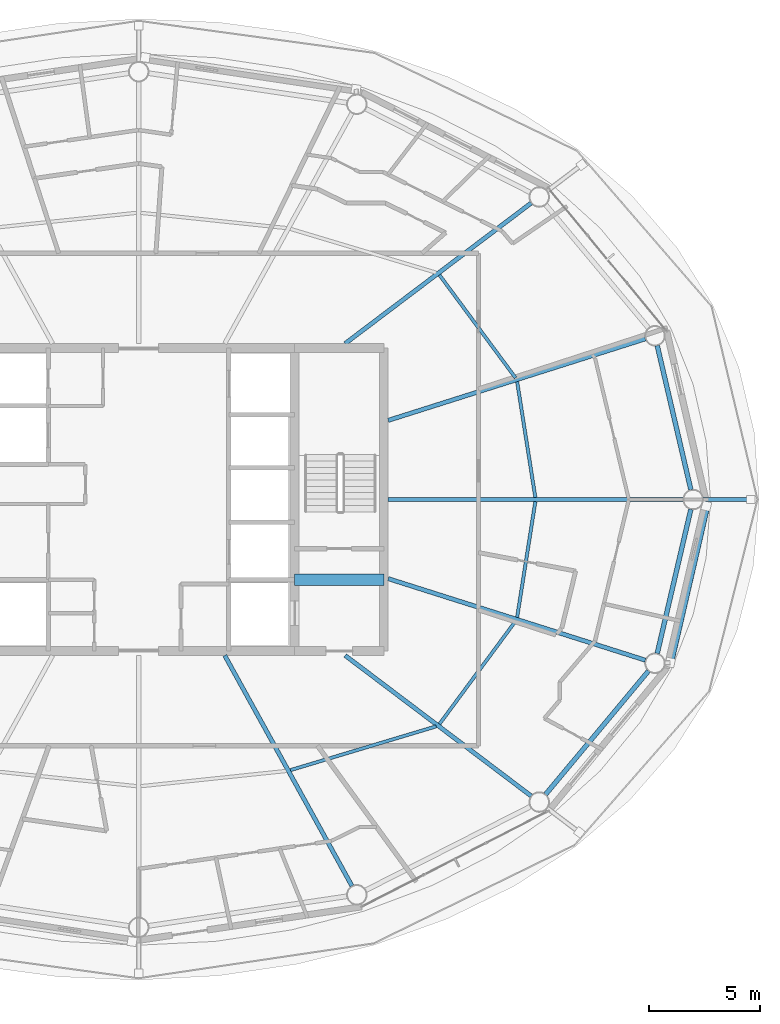
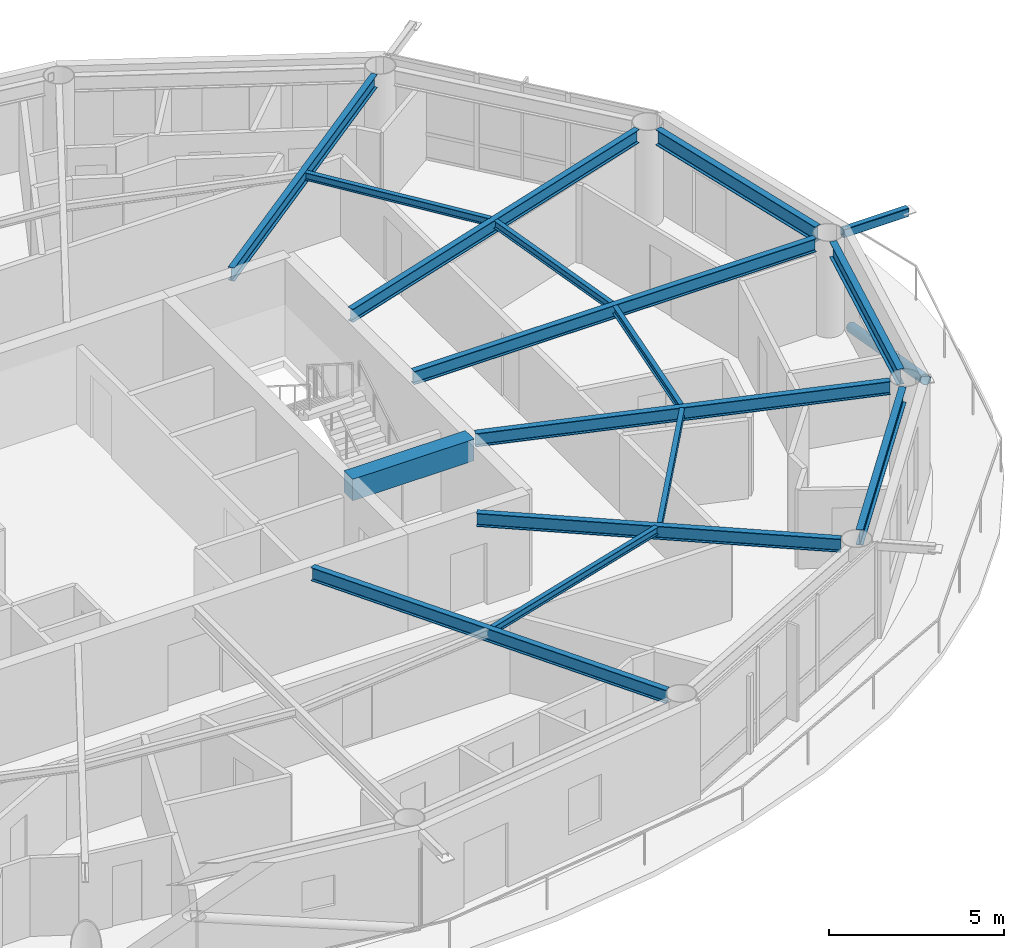
# One storey, part 6 of 23: 15 beams, 2 members.
"""IFC4 building model written with IfcOpenShell, lengths in metres."""

from ifc_helpers import new_model, si_unit, direction, frame, origin, origin_2d, place, context, subcontext, project, spatial, rectangle, hollow_rectangle, hollow_circle, i_section, extrude, material, material_profile, profile_set, type_object, element, save


model = new_model("IFC4")

# Units and contexts
model_context = context("Model", 3, precision=1e-05, world=origin(), true_north=direction((0.0, 1.0)))
body_context = subcontext(model_context, "Body", "Model", "MODEL_VIEW")
ifc_project = project(units=[si_unit("LENGTHUNIT", "METRE"), si_unit("AREAUNIT", "SQUARE_METRE"), si_unit("VOLUMEUNIT", "CUBIC_METRE"), si_unit("PLANEANGLEUNIT", "RADIAN"), si_unit("MASSUNIT", "GRAM", prefix="KILO")], contexts=[model_context])

# Site, building, storey
site_placement = place(None, origin())
site = spatial("IfcSite", under=ifc_project, at=site_placement, CompositionType="ELEMENT")
building_placement = place(site_placement, origin())
building = spatial("IfcBuilding", under=site, at=building_placement, Name="Sarneth Arch Tower", CompositionType="ELEMENT")
storey_placement = place(building_placement, frame((0.0, 0.0, 224.39990234375)))
storey = spatial("IfcBuildingStorey", under=building, at=storey_placement, Name="L57", CompositionType="ELEMENT", Elevation=224.39990234375)

# Beams
ifc_material_1 = material(Name="Steel S355", Category="steel")
ifc_material_profile_1 = material_profile(ifc_material_1, i_section(OverallWidth=0.14794921875, OverallDepth=0.26611328125, WebThickness=0.007568359375, FlangeThickness=0.012939453125, FilletRadius=0.012939453125, at=origin_2d()), Name="W250x44.8")
ifc_profile_set_1 = profile_set([ifc_material_profile_1], Name="Steel S355")
beam_type_1 = type_object("IfcBeamType", Name="BM-JOIST-250", PredefinedType="JOIST", material=ifc_profile_set_1)
beam_1_placement = place(storey_placement, frame((65.8017578125, 42.0947265625, 3.22705078125), z_axis=(-0.155421095795, 0.987848309702, 0.0), x_axis=(-0.987848309702, -0.155421095795, 0.0)))
element("IfcBeam", 1, at=beam_1_placement, inside=storey, type_object=beam_type_1, Name="L57 Secondary floor joist 01", PredefinedType="JOIST", context=body_context, shape_type="SweptSolid", body=[
    extrude(i_section(OverallWidth=0.14794921875, OverallDepth=0.26611328125, WebThickness=0.007568359375, FlangeThickness=0.012939453125, FilletRadius=0.012939453125, at=origin_2d()), origin(), (0.0, 0.0, 1.0), 5.256103515625),
])
beam_2_placement = place(storey_placement, frame((64.912841796875, 47.458740234375, 3.22705078125), z_axis=(-0.594557229879, 0.804053294501, 0.0), x_axis=(-0.804053294501, -0.594557229879, 0.0)))
element("IfcBeam", 2, at=beam_2_placement, inside=storey, type_object=beam_type_1, Name="L57 Secondary floor joist 02", PredefinedType="JOIST", context=body_context, shape_type="SweptSolid", body=[
    extrude(i_section(OverallWidth=0.14794921875, OverallDepth=0.26611328125, WebThickness=0.007568359375, FlangeThickness=0.012939453125, FilletRadius=0.012939453125, at=origin_2d()), origin(), (0.0, 0.0, 1.0), 5.74169921875),
])
beam_3_placement = place(storey_placement, frame((54.810546875, 29.85546875, 3.22705078125), z_axis=(0.957725851155, 0.287682453461, 0.0), x_axis=(-0.287682453461, 0.957725851155, 0.0)))
element("IfcBeam", 3, at=beam_3_placement, inside=storey, type_object=beam_type_1, Name="L57 Secondary floor joist 14", PredefinedType="JOIST", context=body_context, shape_type="SweptSolid", body=[
    extrude(i_section(OverallWidth=0.14794921875, OverallDepth=0.26611328125, WebThickness=0.007568359375, FlangeThickness=0.012939453125, FilletRadius=0.012939453125, at=origin_2d()), origin(), (0.0, 0.0, 1.0), 6.828125),
])
beam_4_placement = place(storey_placement, frame((61.4990234375, 31.924560546875, 3.22705078125), z_axis=(0.594557229879, 0.804053294501, 0.0), x_axis=(-0.804053294501, 0.594557229879, 0.0)))
element("IfcBeam", 4, at=beam_4_placement, inside=storey, type_object=beam_type_1, Name="L57 Secondary floor joist 15", PredefinedType="JOIST", context=body_context, shape_type="SweptSolid", body=[
    extrude(i_section(OverallWidth=0.14794921875, OverallDepth=0.26611328125, WebThickness=0.007568359375, FlangeThickness=0.012939453125, FilletRadius=0.012939453125, at=origin_2d()), origin(), (0.0, 0.0, 1.0), 5.74169921875),
])
beam_5_placement = place(storey_placement, frame((64.98486328125, 36.713134765625, 3.22705078125), z_axis=(0.155421095795, 0.987848309702, 0.0), x_axis=(-0.987848309702, 0.155421095795, 0.0)))
element("IfcBeam", 5, at=beam_5_placement, inside=storey, type_object=beam_type_1, Name="L57 Secondary floor joist 16", PredefinedType="JOIST", context=body_context, shape_type="SweptSolid", body=[
    extrude(i_section(OverallWidth=0.14794921875, OverallDepth=0.26611328125, WebThickness=0.007568359375, FlangeThickness=0.012939453125, FilletRadius=0.012939453125, at=origin_2d()), origin(), (0.0, 0.0, 1.0), 5.256103515625),
])
ifc_material_2 = material(Name="Concrete C50/60", Category="concrete")
ifc_material_profile_2 = material_profile(ifc_material_2, rectangle(XDim=0.5, YDim=0.75, at=origin_2d()), Name="RC-500x750")
ifc_profile_set_2 = profile_set([ifc_material_profile_2], Name="Concrete C50/60")
beam_type_2 = type_object("IfcBeamType", Name="BM-LINTEL-RC", PredefinedType="LINTEL", material=ifc_profile_set_2)
beam_6_placement = place(storey_placement, frame((55.0, 38.39990234375, 2.985107421875), z_axis=(1.0, 0.0, 0.0), x_axis=(0.0, 1.0, 0.0)))
element("IfcBeam", 6, at=beam_6_placement, inside=storey, type_object=beam_type_2, Name="L57 Core coupling lintel E", PredefinedType="LINTEL", context=body_context, shape_type="SweptSolid", body=[
    extrude(rectangle(XDim=0.5, YDim=0.75, at=origin_2d()), origin(), (0.0, 0.0, 1.0), 4.0),
])
ifc_material_3 = material(Name="Steel S355", Category="steel")
ifc_material_profile_3 = material_profile(ifc_material_3, i_section(OverallWidth=0.19189453125, OverallDepth=0.462890625, WebThickness=0.010498046875, FlangeThickness=0.017578125, FilletRadius=0.01806640625, at=origin_2d()), Name="W460x89")
ifc_profile_set_3 = profile_set([ifc_material_profile_3], Name="Steel S355")
beam_type_3 = type_object("IfcBeamType", Name="BM-RAD-460B", PredefinedType="BEAM", material=ifc_profile_set_3)
beam_7_placement = place(storey_placement, frame((59.199951171875, 42.0, 3.128662109375), z_axis=(1.0, 0.0, 0.0), x_axis=(0.0, 1.0, 0.0)))
element("IfcBeam", 7, at=beam_7_placement, inside=storey, type_object=beam_type_3, Name="L57 Radial floor girder 01", PredefinedType="BEAM", context=body_context, shape_type="SweptSolid", body=[
    extrude(i_section(OverallWidth=0.19189453125, OverallDepth=0.462890625, WebThickness=0.010498046875, FlangeThickness=0.017578125, FilletRadius=0.01806640625, at=origin_2d()), origin(), (0.0, 0.0, 1.0), 13.233154296875),
])
beam_8_placement = place(storey_placement, frame((59.199951171875, 45.5517578125, 3.128662109375), z_axis=(0.953215615433, 0.302291234563, 0.0), x_axis=(-0.302291234563, 0.953215615433, 0.0)))
element("IfcBeam", 8, at=beam_8_placement, inside=storey, type_object=beam_type_3, Name="L57 Radial floor girder 02", PredefinedType="BEAM", context=body_context, shape_type="SweptSolid", body=[
    extrude(i_section(OverallWidth=0.19189453125, OverallDepth=0.462890625, WebThickness=0.010498046875, FlangeThickness=0.017578125, FilletRadius=0.01806640625, at=origin_2d()), origin(), (0.0, 0.0, 1.0), 12.1064453125),
])
beam_9_placement = place(storey_placement, frame((57.26806640625, 49.0, 3.128662109375), z_axis=(0.79797356997, 0.602692443647, 0.0), x_axis=(-0.602692443647, 0.79797356997, 0.0)))
element("IfcBeam", 9, at=beam_9_placement, inside=storey, type_object=beam_type_3, Name="L57 Radial floor girder 03", PredefinedType="BEAM", context=body_context, shape_type="SweptSolid", body=[
    extrude(i_section(OverallWidth=0.19189453125, OverallDepth=0.462890625, WebThickness=0.010498046875, FlangeThickness=0.017578125, FilletRadius=0.01806640625, at=origin_2d()), origin(), (0.0, 0.0, 1.0), 10.461669921875),
])
beam_10_placement = place(storey_placement, frame((51.86376953125, 35.0, 3.128662109375), z_axis=(0.483218265038, -0.875499919094, 0.0), x_axis=(0.875499919094, 0.483218265038, 0.0)))
element("IfcBeam", 10, at=beam_10_placement, inside=storey, type_object=beam_type_3, Name="L57 Radial floor girder 14", PredefinedType="BEAM", context=body_context, shape_type="SweptSolid", body=[
    extrude(i_section(OverallWidth=0.19189453125, OverallDepth=0.462890625, WebThickness=0.010498046875, FlangeThickness=0.017578125, FilletRadius=0.01806640625, at=origin_2d()), origin(), (0.0, 0.0, 1.0), 11.8154296875),
])
beam_11_placement = place(storey_placement, frame((57.26806640625, 35.0, 3.128662109375), z_axis=(0.79797356997, -0.602692443647, 0.0), x_axis=(0.602692443647, 0.79797356997, 0.0)))
element("IfcBeam", 11, at=beam_11_placement, inside=storey, type_object=beam_type_3, Name="L57 Radial floor girder 15", PredefinedType="BEAM", context=body_context, shape_type="SweptSolid", body=[
    extrude(i_section(OverallWidth=0.19189453125, OverallDepth=0.462890625, WebThickness=0.010498046875, FlangeThickness=0.017578125, FilletRadius=0.01806640625, at=origin_2d()), origin(), (0.0, 0.0, 1.0), 10.461669921875),
])
beam_12_placement = place(storey_placement, frame((59.199951171875, 38.4482421875, 3.128662109375), z_axis=(0.953215615433, -0.302291234563, 0.0), x_axis=(0.302291234563, 0.953215615433, 0.0)))
element("IfcBeam", 12, at=beam_12_placement, inside=storey, type_object=beam_type_3, Name="L57 Radial floor girder 16", PredefinedType="BEAM", context=body_context, shape_type="SweptSolid", body=[
    extrude(i_section(OverallWidth=0.19189453125, OverallDepth=0.462890625, WebThickness=0.010498046875, FlangeThickness=0.017578125, FilletRadius=0.01806640625, at=origin_2d()), origin(), (0.0, 0.0, 1.0), 12.1064453125),
])
ifc_material_4 = material(Name="Steel S355", Category="steel")
ifc_material_profile_4 = material_profile(ifc_material_4, i_section(OverallWidth=0.2109375, OverallDepth=0.5390625, WebThickness=0.01171875, FlangeThickness=0.018798828125, FilletRadius=0.01806640625, at=origin_2d()), Name="W530x109")
ifc_profile_set_4 = profile_set([ifc_material_profile_4], Name="Steel S355")
beam_type_4 = type_object("IfcBeamType", Name="BM-RAD-530B", PredefinedType="BEAM", material=ifc_profile_set_4)
beam_13_placement = place(storey_placement, frame((72.781005859375, 42.438232421875, 3.090576171875), z_axis=(-0.227247037844, 0.973837144389, 0.0), x_axis=(-0.973837144389, -0.227247037844, 0.0)))
element("IfcBeam", 13, at=beam_13_placement, inside=storey, type_object=beam_type_4, Name="L57 Perimeter spandrel beam 01", PredefinedType="BEAM", context=body_context, shape_type="SweptSolid", body=[
    extrude(i_section(OverallWidth=0.2109375, OverallDepth=0.5390625, WebThickness=0.01171875, FlangeThickness=0.018798828125, FilletRadius=0.01806640625, at=origin_2d()), origin(), (0.0, 0.0, 1.0), 6.644775390625),
])
beam_14_placement = place(storey_placement, frame((66.263427734375, 28.769287109375, 3.090576171875), z_axis=(0.640390876881, 0.768049168222, 0.0), x_axis=(-0.768049168222, 0.640390876881, 0.0)))
element("IfcBeam", 14, at=beam_14_placement, inside=storey, type_object=beam_type_4, Name="L57 Perimeter spandrel beam 15", PredefinedType="BEAM", context=body_context, shape_type="SweptSolid", body=[
    extrude(i_section(OverallWidth=0.2109375, OverallDepth=0.5390625, WebThickness=0.01171875, FlangeThickness=0.018798828125, FilletRadius=0.01806640625, at=origin_2d()), origin(), (0.0, 0.0, 1.0), 7.2099609375),
])
beam_15_placement = place(storey_placement, frame((71.27099609375, 35.0908203125, 3.090576171875), z_axis=(0.227247037844, 0.973837144389, 0.0), x_axis=(-0.973837144389, 0.227247037844, 0.0)))
element("IfcBeam", 15, at=beam_15_placement, inside=storey, type_object=beam_type_4, Name="L57 Perimeter spandrel beam 16", PredefinedType="BEAM", context=body_context, shape_type="SweptSolid", body=[
    extrude(i_section(OverallWidth=0.2109375, OverallDepth=0.5390625, WebThickness=0.01171875, FlangeThickness=0.018798828125, FilletRadius=0.01806640625, at=origin_2d()), origin(), (0.0, 0.0, 1.0), 6.644775390625),
])

# Members
ifc_material_5 = material(Name="Steel S355", Category="steel")
ifc_material_profile_5 = material_profile(ifc_material_5, hollow_rectangle(XDim=0.199951171875, YDim=0.300048828125, WallThickness=0.012451171875, InnerFilletRadius=0.018798828125, OuterFilletRadius=0.03125, at=origin_2d()), Name="RHS300x200x12.5")
ifc_profile_set_5 = profile_set([ifc_material_profile_5], Name="Steel S355")
member_type_1 = type_object("IfcMemberType", Name="MEM-CANT-STRUT", PredefinedType="STRUT", material=ifc_profile_set_5)
member_1_placement = place(storey_placement, frame((73.333251953125, 42.0, 3.2001953125), z_axis=(1.0, 0.0, 0.0), x_axis=(0.0, 1.0, 0.0)))
element("IfcMember", 16, at=member_1_placement, inside=storey, type_object=member_type_1, Name="L57 Balcony cantilever bracket 01", PredefinedType="STRUT", context=body_context, shape_type="SweptSolid", body=[
    extrude(hollow_rectangle(XDim=0.199951171875, YDim=0.300048828125, WallThickness=0.012451171875, InnerFilletRadius=0.018798828125, OuterFilletRadius=0.03125, at=origin_2d()), origin(), (0.0, 0.0, 1.0), 2.141845703125),
])
ifc_material_6 = material(Name="Steel S355", Category="steel")
ifc_material_profile_6 = material_profile(ifc_material_6, hollow_circle(Radius=0.162109375, WallThickness=0.012451171875, at=origin_2d()), Name="CHS324x12.5")
ifc_profile_set_6 = profile_set([ifc_material_profile_6], Name="Steel S355")
member_type_2 = type_object("IfcMemberType", Name="MEM-DIAG-BR3", PredefinedType="BRACE", material=ifc_profile_set_6)
member_2_placement = place(storey_placement, frame((73.4765625, 41.707763671875, 0.02001953125), z_axis=(-0.207917989892, -0.898749333617, 0.386030756289), x_axis=(0.974268900284, -0.225388797281, 0.0)))
element("IfcMember", 17, at=member_2_placement, inside=storey, type_object=member_type_2, Name="L57 Perimeter frame diagonal 16", PredefinedType="BRACE", context=body_context, shape_type="SweptSolid", body=[
    extrude(hollow_circle(Radius=0.162109375, WallThickness=0.012451171875, at=origin_2d()), origin(), (0.0, 0.0, 1.0), 7.814453125),
])

save(model, "model.ifc")
